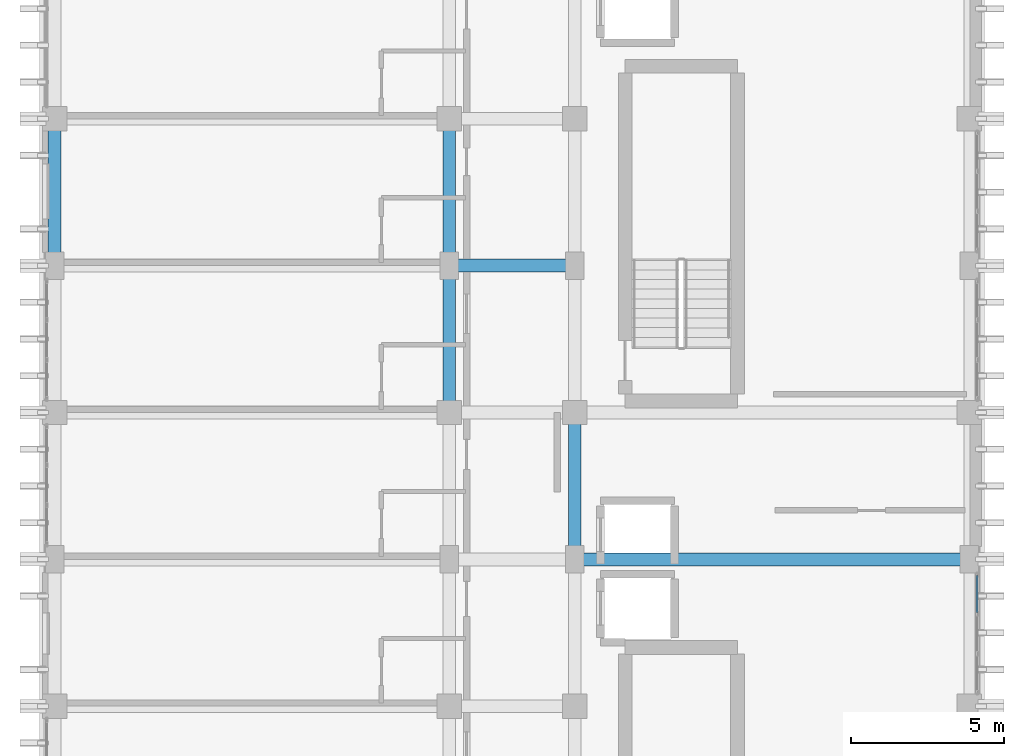
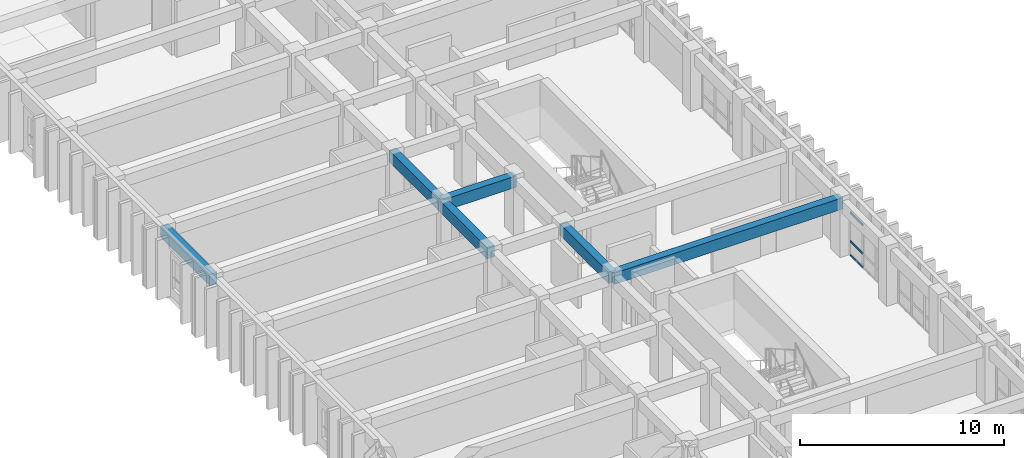
# One storey, part 16 of 82: 6 beams, 3 members, 1 element without a shape of its own.
"""IFC4 building model written with IfcOpenShell, lengths in metres."""

from ifc_helpers import new_model, si_unit, direction, frame, origin, origin_2d, place, context, subcontext, project, spatial, rectangle, hollow_rectangle, extrude, material, layer, layer_set, material_profile, profile_set, type_object, element, aggregate, save


model = new_model("IFC4")

# Units and contexts
model_context = context("Model", 3, precision=1e-05, world=origin(), true_north=direction((0.0, 1.0)))
body_context = subcontext(model_context, "Body", "Model", "MODEL_VIEW")
ifc_project = project(units=[si_unit("LENGTHUNIT", "METRE"), si_unit("AREAUNIT", "SQUARE_METRE"), si_unit("VOLUMEUNIT", "CUBIC_METRE"), si_unit("PLANEANGLEUNIT", "RADIAN"), si_unit("MASSUNIT", "GRAM", prefix="KILO")], contexts=[model_context])

# Site, building, storey
site_placement = place(None, origin())
site = spatial("IfcSite", under=ifc_project, at=site_placement, CompositionType="ELEMENT")
building_placement = place(site_placement, origin())
building = spatial("IfcBuilding", under=site, at=building_placement, Name="Nakhvara Creek Congress Hotel", CompositionType="ELEMENT")
storey_placement = place(building_placement, frame((0.0, 0.0, 21.0)))
storey = spatial("IfcBuildingStorey", under=building, at=storey_placement, Name="L04", CompositionType="ELEMENT", Elevation=21.0)

# Beams
ifc_material_1 = material(Name="Concrete C40/50", Category="concrete")
ifc_material_profile_1 = material_profile(ifc_material_1, rectangle(XDim=0.419921875, YDim=0.679931640625, at=origin_2d()), Name="RC-BM 420x680", Category="LoadBearing")
ifc_profile_set_1 = profile_set([ifc_material_profile_1], Name="Concrete C40/50")
beam_type = type_object("IfcBeamType", Name="BM-RC-420X680", PredefinedType="BEAM", material=ifc_profile_set_1)
for number, where, z_axis, x_axis, name in (
    (1, (149.449951171875, 52.800048828125, 3.0), (0.0, 1.0, 0.0), (-1.0, 0.0, 0.0), "Beam B11-L04-1921"),
    (2, (162.35009765625, 48.0, 3.0), (0.0, 1.0, 0.0), (-1.0, 0.0, 0.0), "Beam B11-L04-1951"),
    (3, (162.35009765625, 52.800048828125, 3.0), (0.0, 1.0, 0.0), (-1.0, 0.0, 0.0), "Beam B11-L04-1953"),
    (4, (166.449951171875, 43.199951171875, 3.0), (0.0, 1.0, 0.0), (-1.0, 0.0, 0.0), "Beam B11-L04-1983"),
):
    element("IfcBeam", number, at=place(storey_placement, frame(where, z_axis=z_axis, x_axis=x_axis)), inside=storey, type_object=beam_type, Name=name, PredefinedType="BEAM", context=body_context, shape_type="SweptSolid", body=[
        extrude(rectangle(XDim=0.419921875, YDim=0.679931640625, at=origin_2d()), origin(), (0.0, 0.0, 1.0), 4.800048828125),
    ])
beam_1_placement = place(storey_placement, frame((162.35009765625, 52.800048828125, 3.0), z_axis=(1.0, 0.0, 0.0), x_axis=(0.0, 1.0, 0.0)))
element("IfcBeam", 5, at=beam_1_placement, inside=storey, type_object=beam_type, Name="Beam B11-L04-2041", PredefinedType="BEAM", context=body_context, shape_type="SweptSolid", body=[
    extrude(rectangle(XDim=0.419921875, YDim=0.679931640625, at=origin_2d()), origin(), (0.0, 0.0, 1.0), 4.099853515625),
])
beam_2_placement = place(storey_placement, frame((166.449951171875, 43.199951171875, 3.0), z_axis=(1.0, 0.0, 0.0), x_axis=(0.0, 1.0, 0.0)))
element("IfcBeam", 6, at=beam_2_placement, inside=storey, type_object=beam_type, Name="Beam B11-L04-2050", PredefinedType="BEAM", context=body_context, shape_type="SweptSolid", body=[
    extrude(rectangle(XDim=0.419921875, YDim=0.679931640625, at=origin_2d()), origin(), (0.0, 0.0, 1.0), 12.900146484375),
])

# Curtain wall, members
ifc_material_2 = material(Name="Bronze-anodised aluminium AW-6063-T6 and double-silver low-E glass", Category="aluminium")
ifc_layer = layer(ifc_material_2, 0.199951171875)
ifc_layer_set = layer_set([ifc_layer], Name="Bronze-anodised aluminium AW-6063-T6 and double-silver low-E glass")
curtain_wall_type = type_object("IfcCurtainWallType", Name="CW-HTL-UNIT", PredefinedType="USERDEFINED", material=ifc_layer_set)
curtain_wall_placement = place(storey_placement, origin())
curtain_wall = element("IfcCurtainWall", 7, at=curtain_wall_placement, inside=storey, type_object=curtain_wall_type, Name="Curtain Wall CW178", ObjectType="UNITISED", PredefinedType="USERDEFINED")
ifc_material_3 = material(Name="Bronze-anodised aluminium AW-6063-T6", Category="aluminium")
ifc_material_profile_2 = material_profile(ifc_material_3, hollow_rectangle(XDim=0.06494140625, YDim=0.1201171875, WallThickness=0.00390625, at=origin_2d()), Name="ALU-TRAN 65x120x4", Category="LoadBearing")
ifc_profile_set_2 = profile_set([ifc_material_profile_2], Name="Bronze-anodised aluminium AW-6063-T6")
member_type = type_object("IfcMemberType", Name="CW-TRAN-120", PredefinedType="USERDEFINED", material=ifc_profile_set_2)
member_1_placement = place(storey_placement, frame((179.60009765625, 42.669921875, 0.032470703125), z_axis=(0.0, -1.0, 0.0), x_axis=(1.0, 0.0, 0.0)))
member_1 = element("IfcMember", 8, at=member_1_placement, type_object=member_type, Name="CW178 transom 1.1", ObjectType="TRANSOM", PredefinedType="USERDEFINED", context=body_context, shape_type="SweptSolid", body=[
    extrude(hollow_rectangle(XDim=0.06494140625, YDim=0.1201171875, WallThickness=0.00390625, at=origin_2d()), origin(), (0.0, 0.0, 1.0), 1.208984375),
])
member_2_placement = place(storey_placement, frame((179.60009765625, 42.669921875, 0.85009765625), z_axis=(0.0, -1.0, 0.0), x_axis=(1.0, 0.0, 0.0)))
member_2 = element("IfcMember", 9, at=member_2_placement, type_object=member_type, Name="CW178 transom 1.2", ObjectType="TRANSOM", PredefinedType="USERDEFINED", context=body_context, shape_type="SweptSolid", body=[
    extrude(hollow_rectangle(XDim=0.06494140625, YDim=0.1201171875, WallThickness=0.00390625, at=origin_2d()), origin(), (0.0, 0.0, 1.0), 1.208984375),
])
member_3_placement = place(storey_placement, frame((179.60009765625, 42.669921875, 2.549560546875), z_axis=(0.0, -1.0, 0.0), x_axis=(1.0, 0.0, 0.0)))
member_3 = element("IfcMember", 10, at=member_3_placement, type_object=member_type, Name="CW178 transom 1.3", ObjectType="TRANSOM", PredefinedType="USERDEFINED", context=body_context, shape_type="SweptSolid", body=[
    extrude(hollow_rectangle(XDim=0.06494140625, YDim=0.1201171875, WallThickness=0.00390625, at=origin_2d()), origin(), (0.0, 0.0, 1.0), 1.208984375),
])
aggregate(curtain_wall, [member_1, member_2, member_3])

save(model, "model.ifc")
